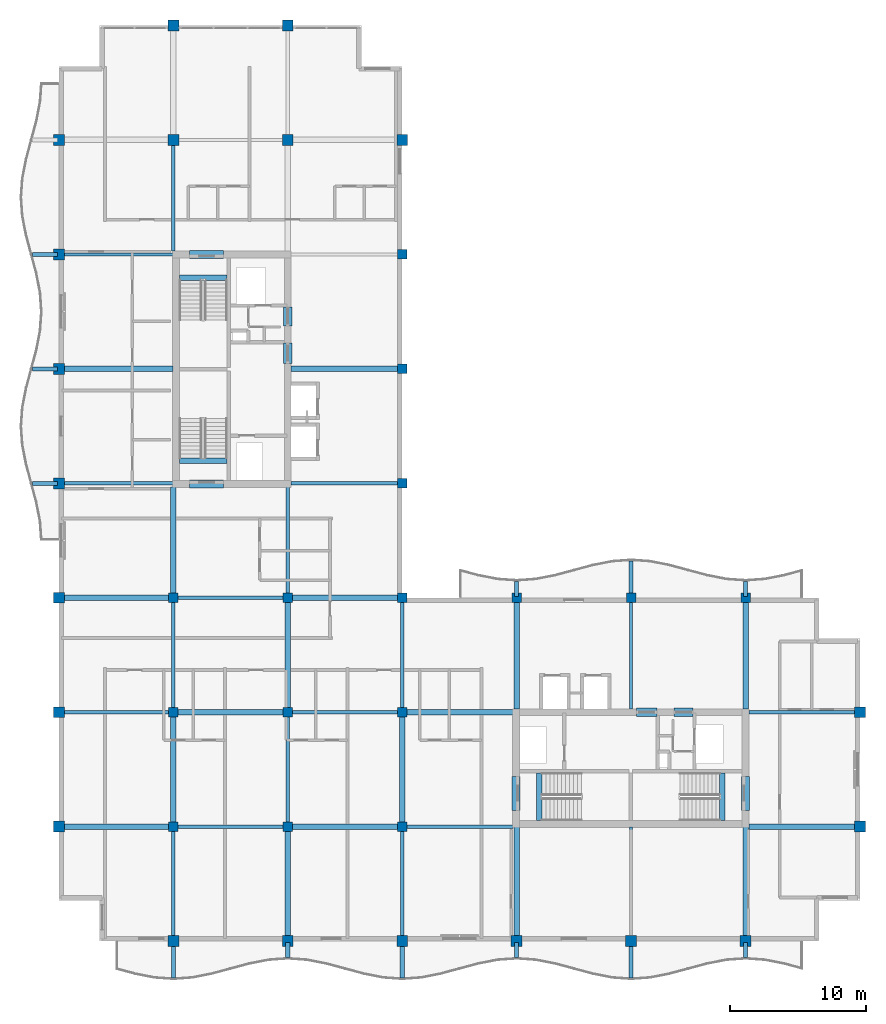
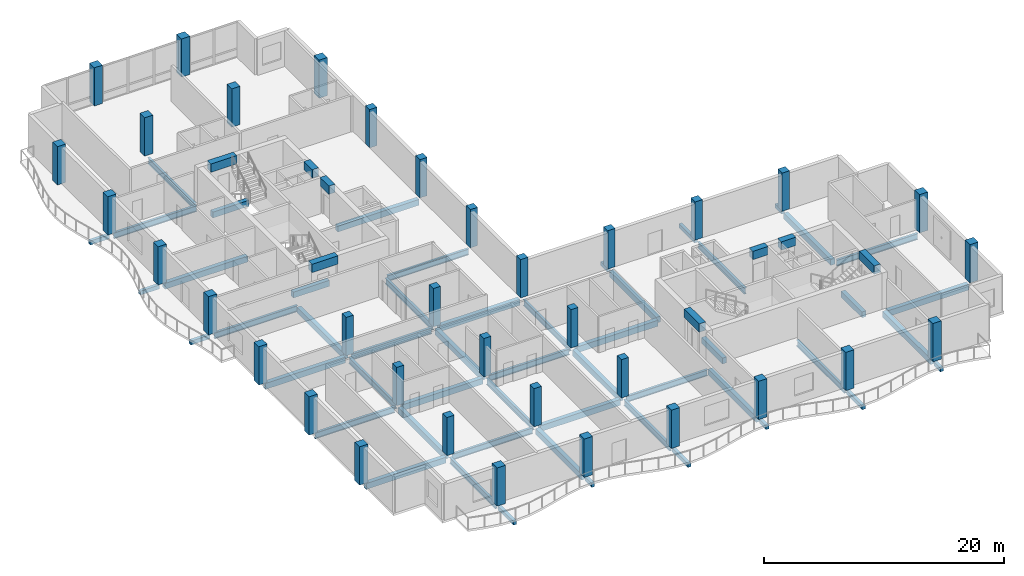
# One storey, part 1 of 15: 60 beams, 35 columns.
"""IFC4 building model written with IfcOpenShell, lengths in metres."""

from ifc_helpers import new_model, si_unit, direction, frame, origin, origin_2d, place, context, subcontext, project, spatial, rectangle, i_section, extrude, material, material_profile, profile_set, type_object, element, save


model = new_model("IFC4")

# Units and contexts
model_context = context("Model", 3, precision=1e-05, world=origin(), true_north=direction((0.0, 1.0)))
body_context = subcontext(model_context, "Body", "Model", "MODEL_VIEW")
ifc_project = project(units=[si_unit("LENGTHUNIT", "METRE"), si_unit("AREAUNIT", "SQUARE_METRE"), si_unit("VOLUMEUNIT", "CUBIC_METRE"), si_unit("PLANEANGLEUNIT", "RADIAN"), si_unit("MASSUNIT", "GRAM", prefix="KILO")], contexts=[model_context])

# Site, building, storey
site_placement = place(None, origin())
site = spatial("IfcSite", under=ifc_project, at=site_placement, CompositionType="ELEMENT")
building_placement = place(site_placement, origin())
building = spatial("IfcBuilding", under=site, at=building_placement, Name="Koriwani Terraces Tower", CompositionType="ELEMENT")
storey_placement = place(building_placement, frame((0.0, 0.0, 300.800048828125)))
storey = spatial("IfcBuildingStorey", under=building, at=storey_placement, Name="L74", CompositionType="ELEMENT", Elevation=300.800048828125)

# Columns
ifc_material_1 = material(Name="Concrete C50/60", Category="concrete")
ifc_material_profile_1 = material_profile(ifc_material_1, rectangle(XDim=0.699951171875, YDim=0.699951171875, at=origin_2d()), Name="Concrete C50/60", Category="LoadBearing")
ifc_profile_set_1 = profile_set([ifc_material_profile_1], Name="Concrete C50/60")
column_type_1 = type_object("IfcColumnType", Name="COL_RC_700X700", PredefinedType="COLUMN", material=ifc_profile_set_1)
for number, where, z_axis, x_axis, name in (
    (1, (16.800048828125, 16.800048828125, 0.0), (0.0, 0.0, 1.0), (1.0, 0.0, 0.0), "L74 Column 3/C"),
    (2, (16.800048828125, 25.199951171875, 0.0), (0.0, 0.0, 1.0), (1.0, 0.0, 0.0), "L74 Column 3/D"),
    (3, (16.800048828125, 33.60009765625, 0.0), (0.0, 0.0, 1.0), (1.0, 0.0, 0.0), "L74 Column 3/E"),
    (4, (25.199951171875, 16.800048828125, 0.0), (0.0, 0.0, 1.0), (1.0, 0.0, 0.0), "L74 Column 4/C"),
    (5, (25.199951171875, 25.199951171875, 0.0), (0.0, 0.0, 1.0), (1.0, 0.0, 0.0), "L74 Column 4/D"),
    (6, (25.199951171875, 33.60009765625, 0.0), (0.0, 0.0, 1.0), (1.0, 0.0, 0.0), "L74 Column 4/E"),
    (7, (33.60009765625, 16.800048828125, 0.0), (0.0, 0.0, 1.0), (1.0, 0.0, 0.0), "L74 Column 5/C"),
    (8, (33.60009765625, 25.199951171875, 0.0), (0.0, 0.0, 1.0), (1.0, 0.0, 0.0), "L74 Column 5/D"),
    (9, (33.60009765625, 33.60009765625, 0.0), (0.0, 0.0, 1.0), (1.0, 0.0, 0.0), "L74 Column 5/E"),
    (10, (33.60009765625, 42.0, 0.0), (0.0, 0.0, 1.0), (1.0, 0.0, 0.0), "L74 Column 5/F"),
    (11, (33.60009765625, 50.39990234375, 0.0), (0.0, 0.0, 1.0), (1.0, 0.0, 0.0), "L74 Column 5/G"),
    (12, (33.60009765625, 58.800048828125, 0.0), (0.0, 0.0, 1.0), (1.0, 0.0, 0.0), "L74 Column 5/H"),
    (13, (42.0, 33.60009765625, 0.0), (0.0, 0.0, 1.0), (1.0, 0.0, 0.0), "L74 Column 6/E"),
    (14, (50.39990234375, 33.60009765625, 0.0), (0.0, 0.0, 1.0), (1.0, 0.0, 0.0), "L74 Column 7/E"),
    (15, (58.800048828125, 33.60009765625, 0.0), (0.0, 0.0, 1.0), (1.0, 0.0, 0.0), "L74 Column 8/E"),
):
    element("IfcColumn", number, at=place(storey_placement, frame(where, z_axis=z_axis, x_axis=x_axis)), inside=storey, type_object=column_type_1, Name=name, PredefinedType="COLUMN", context=body_context, shape_type="SweptSolid", body=[
        extrude(rectangle(XDim=0.699951171875, YDim=0.699951171875, at=origin_2d()), origin(), (0.0, 0.0, 1.0), 3.89990234375),
    ])
ifc_material_profile_2 = material_profile(ifc_material_1, rectangle(XDim=0.800048828125, YDim=0.800048828125, at=origin_2d()), Name="Concrete C50/60", Category="LoadBearing")
ifc_profile_set_2 = profile_set([ifc_material_profile_2], Name="Concrete C50/60")
column_type_2 = type_object("IfcColumnType", Name="COL_RC_800X800", PredefinedType="COLUMN", material=ifc_profile_set_2)
for number, where, z_axis, x_axis, name in (
    (16, (8.39990234375, 16.800048828125, 0.0), (0.0, 0.0, 1.0), (1.0, 0.0, 0.0), "L74 Column 2/C"),
    (17, (8.39990234375, 25.199951171875, 0.0), (0.0, 0.0, 1.0), (1.0, 0.0, 0.0), "L74 Column 2/D"),
    (18, (8.39990234375, 33.60009765625, 0.0), (0.0, 0.0, 1.0), (1.0, 0.0, 0.0), "L74 Column 2/E"),
    (19, (8.39990234375, 42.0, 0.0), (0.0, 0.0, 1.0), (1.0, 0.0, 0.0), "L74 Column 2/F"),
    (20, (8.39990234375, 50.39990234375, 0.0), (0.0, 0.0, 1.0), (1.0, 0.0, 0.0), "L74 Column 2/G"),
    (21, (8.39990234375, 58.800048828125, 0.0), (0.0, 0.0, 1.0), (1.0, 0.0, 0.0), "L74 Column 2/H"),
    (22, (8.39990234375, 67.199951171875, 0.0), (0.0, 0.0, 1.0), (1.0, 0.0, 0.0), "L74 Column 2/I"),
    (23, (16.800048828125, 8.39990234375, 0.0), (0.0, 0.0, 1.0), (1.0, 0.0, 0.0), "L74 Column 3/B"),
    (24, (16.800048828125, 67.199951171875, 0.0), (0.0, 0.0, 1.0), (1.0, 0.0, 0.0), "L74 Column 3/I"),
    (25, (16.800048828125, 75.60009765625, 0.0), (0.0, 0.0, 1.0), (1.0, 0.0, 0.0), "L74 Column 3/J"),
    (26, (25.199951171875, 8.39990234375, 0.0), (0.0, 0.0, 1.0), (1.0, 0.0, 0.0), "L74 Column 4/B"),
    (27, (25.199951171875, 67.199951171875, 0.0), (0.0, 0.0, 1.0), (1.0, 0.0, 0.0), "L74 Column 4/I"),
    (28, (25.199951171875, 75.60009765625, 0.0), (0.0, 0.0, 1.0), (1.0, 0.0, 0.0), "L74 Column 4/J"),
    (29, (33.60009765625, 8.39990234375, 0.0), (0.0, 0.0, 1.0), (1.0, 0.0, 0.0), "L74 Column 5/B"),
    (30, (33.60009765625, 67.199951171875, 0.0), (0.0, 0.0, 1.0), (1.0, 0.0, 0.0), "L74 Column 5/I"),
    (31, (42.0, 8.39990234375, 0.0), (0.0, 0.0, 1.0), (1.0, 0.0, 0.0), "L74 Column 6/B"),
    (32, (50.39990234375, 8.39990234375, 0.0), (0.0, 0.0, 1.0), (1.0, 0.0, 0.0), "L74 Column 7/B"),
    (33, (58.800048828125, 8.39990234375, 0.0), (0.0, 0.0, 1.0), (1.0, 0.0, 0.0), "L74 Column 8/B"),
    (34, (67.199951171875, 16.800048828125, 0.0), (0.0, 0.0, 1.0), (1.0, 0.0, 0.0), "L74 Column 9/C"),
    (35, (67.199951171875, 25.199951171875, 0.0), (0.0, 0.0, 1.0), (1.0, 0.0, 0.0), "L74 Column 9/D"),
):
    element("IfcColumn", number, at=place(storey_placement, frame(where, z_axis=z_axis, x_axis=x_axis)), inside=storey, type_object=column_type_2, Name=name, PredefinedType="COLUMN", context=body_context, shape_type="SweptSolid", body=[
        extrude(rectangle(XDim=0.800048828125, YDim=0.800048828125, at=origin_2d()), origin(), (0.0, 0.0, 1.0), 3.89990234375),
    ])

# Beams
ifc_material_2 = material(Name="Concrete C40/50", Category="concrete")
ifc_material_profile_3 = material_profile(ifc_material_2, rectangle(XDim=0.300048828125, YDim=0.39990234375, at=origin_2d()), Name="Concrete C40/50", Category="LoadBearing")
ifc_profile_set_3 = profile_set([ifc_material_profile_3], Name="Concrete C40/50")
beam_type_1 = type_object("IfcBeamType", Name="BEAM_RC_BALCONY_RIB_300X400", PredefinedType="JOIST", material=ifc_profile_set_3)
beam_1_placement = place(storey_placement, frame((16.800048828125, 5.699951171875, -0.429931640625), z_axis=(0.0, 1.0, 0.0), x_axis=(-1.0, 0.0, 0.0)))
element("IfcBeam", 36, at=beam_1_placement, inside=storey, type_object=beam_type_1, Name="L74 Balcony Bracket Rib S-1", PredefinedType="JOIST", context=body_context, shape_type="SweptSolid", body=[
    extrude(rectangle(XDim=0.300048828125, YDim=0.39990234375, at=origin_2d()), origin(), (0.0, 0.0, 1.0), 2.60009765625),
])
beam_2_placement = place(storey_placement, frame((25.199951171875, 7.199951171875, -0.429931640625), z_axis=(0.0, 1.0, 0.0), x_axis=(-1.0, 0.0, 0.0)))
element("IfcBeam", 37, at=beam_2_placement, inside=storey, type_object=beam_type_1, Name="L74 Balcony Bracket Rib S-2", PredefinedType="JOIST", context=body_context, shape_type="SweptSolid", body=[
    extrude(rectangle(XDim=0.300048828125, YDim=0.39990234375, at=origin_2d()), origin(), (0.0, 0.0, 1.0), 1.10009765625),
])
beam_3_placement = place(storey_placement, frame((33.60009765625, 5.699951171875, -0.429931640625), z_axis=(0.0, 1.0, 0.0), x_axis=(-1.0, 0.0, 0.0)))
element("IfcBeam", 38, at=beam_3_placement, inside=storey, type_object=beam_type_1, Name="L74 Balcony Bracket Rib S-3", PredefinedType="JOIST", context=body_context, shape_type="SweptSolid", body=[
    extrude(rectangle(XDim=0.300048828125, YDim=0.39990234375, at=origin_2d()), origin(), (0.0, 0.0, 1.0), 2.60009765625),
])
beam_4_placement = place(storey_placement, frame((42.0, 7.199951171875, -0.429931640625), z_axis=(0.0, 1.0, 0.0), x_axis=(-1.0, 0.0, 0.0)))
element("IfcBeam", 39, at=beam_4_placement, inside=storey, type_object=beam_type_1, Name="L74 Balcony Bracket Rib S-4", PredefinedType="JOIST", context=body_context, shape_type="SweptSolid", body=[
    extrude(rectangle(XDim=0.300048828125, YDim=0.39990234375, at=origin_2d()), origin(), (0.0, 0.0, 1.0), 1.10009765625),
])
beam_5_placement = place(storey_placement, frame((50.39990234375, 5.699951171875, -0.429931640625), z_axis=(0.0, 1.0, 0.0), x_axis=(-1.0, 0.0, 0.0)))
element("IfcBeam", 40, at=beam_5_placement, inside=storey, type_object=beam_type_1, Name="L74 Balcony Bracket Rib S-5", PredefinedType="JOIST", context=body_context, shape_type="SweptSolid", body=[
    extrude(rectangle(XDim=0.300048828125, YDim=0.39990234375, at=origin_2d()), origin(), (0.0, 0.0, 1.0), 2.60009765625),
])
beam_6_placement = place(storey_placement, frame((58.800048828125, 7.199951171875, -0.429931640625), z_axis=(0.0, 1.0, 0.0), x_axis=(-1.0, 0.0, 0.0)))
element("IfcBeam", 41, at=beam_6_placement, inside=storey, type_object=beam_type_1, Name="L74 Balcony Bracket Rib S-6", PredefinedType="JOIST", context=body_context, shape_type="SweptSolid", body=[
    extrude(rectangle(XDim=0.300048828125, YDim=0.39990234375, at=origin_2d()), origin(), (0.0, 0.0, 1.0), 1.10009765625),
])
for number, where, z_axis, x_axis, name in (
    (42, (6.449951171875, 42.0, -0.429931640625), (1.0, 0.0, 0.0), (0.0, 1.0, 0.0), "L74 Balcony Bracket Rib W-1"),
    (43, (6.449951171875, 50.39990234375, -0.429931640625), (1.0, 0.0, 0.0), (0.0, 1.0, 0.0), "L74 Balcony Bracket Rib W-2"),
    (44, (6.449951171875, 58.800048828125, -0.429931640625), (1.0, 0.0, 0.0), (0.0, 1.0, 0.0), "L74 Balcony Bracket Rib W-3"),
):
    element("IfcBeam", number, at=place(storey_placement, frame(where, z_axis=z_axis, x_axis=x_axis)), inside=storey, type_object=beam_type_1, Name=name, PredefinedType="JOIST", context=body_context, shape_type="SweptSolid", body=[
        extrude(rectangle(XDim=0.300048828125, YDim=0.39990234375, at=origin_2d()), origin(), (0.0, 0.0, 1.0), 1.85009765625),
    ])
beam_7_placement = place(storey_placement, frame((42.0, 33.699951171875, -0.429931640625), z_axis=(0.0, 1.0, 0.0), x_axis=(-1.0, 0.0, 0.0)))
element("IfcBeam", 45, at=beam_7_placement, inside=storey, type_object=beam_type_1, Name="L74 Balcony Bracket Rib NE-1", PredefinedType="JOIST", context=body_context, shape_type="SweptSolid", body=[
    extrude(rectangle(XDim=0.300048828125, YDim=0.39990234375, at=origin_2d()), origin(), (0.0, 0.0, 1.0), 1.10009765625),
])
beam_8_placement = place(storey_placement, frame((50.39990234375, 33.699951171875, -0.429931640625), z_axis=(0.0, 1.0, 0.0), x_axis=(-1.0, 0.0, 0.0)))
element("IfcBeam", 46, at=beam_8_placement, inside=storey, type_object=beam_type_1, Name="L74 Balcony Bracket Rib NE-2", PredefinedType="JOIST", context=body_context, shape_type="SweptSolid", body=[
    extrude(rectangle(XDim=0.300048828125, YDim=0.39990234375, at=origin_2d()), origin(), (0.0, 0.0, 1.0), 2.60009765625),
])
beam_9_placement = place(storey_placement, frame((58.800048828125, 33.699951171875, -0.429931640625), z_axis=(0.0, 1.0, 0.0), x_axis=(-1.0, 0.0, 0.0)))
element("IfcBeam", 47, at=beam_9_placement, inside=storey, type_object=beam_type_1, Name="L74 Balcony Bracket Rib NE-3", PredefinedType="JOIST", context=body_context, shape_type="SweptSolid", body=[
    extrude(rectangle(XDim=0.300048828125, YDim=0.39990234375, at=origin_2d()), origin(), (0.0, 0.0, 1.0), 1.10009765625),
])
ifc_material_profile_4 = material_profile(ifc_material_1, rectangle(XDim=0.60009765625, YDim=0.85009765625, at=origin_2d()), Name="Concrete C50/60", Category="LoadBearing")
ifc_profile_set_4 = profile_set([ifc_material_profile_4], Name="Concrete C50/60")
beam_type_2 = type_object("IfcBeamType", Name="BEAM_RC_COUPLING_600X850", PredefinedType="LINTEL", material=ifc_profile_set_4)
beam_10_placement = place(storey_placement, frame((25.199951171875, 50.800048828125, 3.244873046875), z_axis=(0.0, 1.0, 0.0), x_axis=(-1.0, 0.0, 0.0)))
element("IfcBeam", 48, at=beam_10_placement, inside=storey, type_object=beam_type_2, Name="L74 Core Coupling Lintel Beam WE1", PredefinedType="LINTEL", context=body_context, shape_type="SweptSolid", body=[
    extrude(rectangle(XDim=0.60009765625, YDim=0.85009765625, at=origin_2d()), origin(), (0.0, 0.0, 1.0), 1.47998046875),
])
beam_11_placement = place(storey_placement, frame((25.199951171875, 53.550048828125, 3.244873046875), z_axis=(0.0, 1.0, 0.0), x_axis=(-1.0, 0.0, 0.0)))
element("IfcBeam", 49, at=beam_11_placement, inside=storey, type_object=beam_type_2, Name="L74 Core Coupling Lintel Beam WE2", PredefinedType="LINTEL", context=body_context, shape_type="SweptSolid", body=[
    extrude(rectangle(XDim=0.60009765625, YDim=0.85009765625, at=origin_2d()), origin(), (0.0, 0.0, 1.0), 1.39990234375),
])
for number, where, z_axis, x_axis, name in (
    (50, (18.0, 41.949951171875, 3.244873046875), (1.0, 0.0, 0.0), (0.0, 1.0, 0.0), "L74 Core Coupling Lintel Beam WS"),
    (51, (18.0, 58.800048828125, 3.244873046875), (1.0, 0.0, 0.0), (0.0, 1.0, 0.0), "L74 Core Coupling Lintel Beam WN"),
):
    element("IfcBeam", number, at=place(storey_placement, frame(where, z_axis=z_axis, x_axis=x_axis)), inside=storey, type_object=beam_type_2, Name=name, PredefinedType="LINTEL", context=body_context, shape_type="SweptSolid", body=[
        extrude(rectangle(XDim=0.60009765625, YDim=0.85009765625, at=origin_2d()), origin(), (0.0, 0.0, 1.0), 2.5),
    ])
beam_12_placement = place(storey_placement, frame((50.800048828125, 25.199951171875, 3.244873046875), z_axis=(1.0, 0.0, 0.0), x_axis=(0.0, 1.0, 0.0)))
element("IfcBeam", 52, at=beam_12_placement, inside=storey, type_object=beam_type_2, Name="L74 Core Coupling Lintel Beam EN1", PredefinedType="LINTEL", context=body_context, shape_type="SweptSolid", body=[
    extrude(rectangle(XDim=0.60009765625, YDim=0.85009765625, at=origin_2d()), origin(), (0.0, 0.0, 1.0), 1.47998046875),
])
beam_13_placement = place(storey_placement, frame((53.550048828125, 25.199951171875, 3.244873046875), z_axis=(1.0, 0.0, 0.0), x_axis=(0.0, 1.0, 0.0)))
element("IfcBeam", 53, at=beam_13_placement, inside=storey, type_object=beam_type_2, Name="L74 Core Coupling Lintel Beam EN2", PredefinedType="LINTEL", context=body_context, shape_type="SweptSolid", body=[
    extrude(rectangle(XDim=0.60009765625, YDim=0.85009765625, at=origin_2d()), origin(), (0.0, 0.0, 1.0), 1.39990234375),
])
for number, where, z_axis, x_axis, name in (
    (54, (41.949951171875, 18.0, 3.244873046875), (0.0, 1.0, 0.0), (-1.0, 0.0, 0.0), "L74 Core Coupling Lintel Beam EW"),
    (55, (58.800048828125, 18.0, 3.244873046875), (0.0, 1.0, 0.0), (-1.0, 0.0, 0.0), "L74 Core Coupling Lintel Beam EE"),
):
    element("IfcBeam", number, at=place(storey_placement, frame(where, z_axis=z_axis, x_axis=x_axis)), inside=storey, type_object=beam_type_2, Name=name, PredefinedType="LINTEL", context=body_context, shape_type="SweptSolid", body=[
        extrude(rectangle(XDim=0.60009765625, YDim=0.85009765625, at=origin_2d()), origin(), (0.0, 0.0, 1.0), 2.5),
    ])
ifc_material_profile_5 = material_profile(ifc_material_2, rectangle(XDim=0.39990234375, YDim=0.60009765625, at=origin_2d()), Name="Concrete C40/50", Category="LoadBearing")
ifc_profile_set_5 = profile_set([ifc_material_profile_5], Name="Concrete C40/50")
beam_type_3 = type_object("IfcBeamType", Name="BEAM_RC_GRID_400X600", PredefinedType="BEAM", material=ifc_profile_set_5)
for number, where, z_axis, x_axis, name in (
    (56, (17.25, 43.655029296875, -0.300048828125), (1.0, 0.0, 0.0), (0.0, 1.0, 0.0), "L74 Stairwell Header Trimmer Beam ST-W1"),
    (57, (17.25, 57.094970703125, -0.300048828125), (1.0, 0.0, 0.0), (0.0, 1.0, 0.0), "L74 Stairwell Header Trimmer Beam ST-W2"),
    (58, (43.655029296875, 17.25, -0.300048828125), (0.0, 1.0, 0.0), (-1.0, 0.0, 0.0), "L74 Stairwell Header Trimmer Beam ST-E1"),
    (59, (57.094970703125, 17.25, -0.300048828125), (0.0, 1.0, 0.0), (-1.0, 0.0, 0.0), "L74 Stairwell Header Trimmer Beam ST-E2"),
):
    element("IfcBeam", number, at=place(storey_placement, frame(where, z_axis=z_axis, x_axis=x_axis)), inside=storey, type_object=beam_type_3, Name=name, PredefinedType="BEAM", context=body_context, shape_type="SweptSolid", body=[
        extrude(rectangle(XDim=0.39990234375, YDim=0.60009765625, at=origin_2d()), origin(), (0.0, 0.0, 1.0), 3.5),
    ])
beam_14_placement = place(storey_placement, frame((8.780029296875, 16.800048828125, -0.530029296875), z_axis=(1.0, 0.0, 0.0), x_axis=(0.0, 1.0, 0.0)))
element("IfcBeam", 60, at=beam_14_placement, inside=storey, type_object=beam_type_3, Name="L74 Grid Beam C (8.4-16.8m)", PredefinedType="BEAM", context=body_context, shape_type="SweptSolid", body=[
    extrude(rectangle(XDim=0.39990234375, YDim=0.60009765625, at=origin_2d()), origin(), (0.0, 0.0, 1.0), 7.68994140625),
])
beam_15_placement = place(storey_placement, frame((25.530029296875, 16.800048828125, -0.530029296875), z_axis=(1.0, 0.0, 0.0), x_axis=(0.0, 1.0, 0.0)))
element("IfcBeam", 61, at=beam_15_placement, inside=storey, type_object=beam_type_3, Name="L74 Grid Beam C (25.2-33.6m)", PredefinedType="BEAM", context=body_context, shape_type="SweptSolid", body=[
    extrude(rectangle(XDim=0.39990234375, YDim=0.60009765625, at=origin_2d()), origin(), (0.0, 0.0, 1.0), 7.739990234375),
])
beam_16_placement = place(storey_placement, frame((59.030029296875, 16.800048828125, -0.530029296875), z_axis=(1.0, 0.0, 0.0), x_axis=(0.0, 1.0, 0.0)))
element("IfcBeam", 62, at=beam_16_placement, inside=storey, type_object=beam_type_3, Name="L74 Grid Beam C (58.8-67.2m)", PredefinedType="BEAM", context=body_context, shape_type="SweptSolid", body=[
    extrude(rectangle(XDim=0.39990234375, YDim=0.60009765625, at=origin_2d()), origin(), (0.0, 0.0, 1.0), 7.7900390625),
])
beam_17_placement = place(storey_placement, frame((17.1298828125, 25.199951171875, -0.530029296875), z_axis=(1.0, 0.0, 0.0), x_axis=(0.0, 1.0, 0.0)))
element("IfcBeam", 63, at=beam_17_placement, inside=storey, type_object=beam_type_3, Name="L74 Grid Beam D (16.8-25.2m)", PredefinedType="BEAM", context=body_context, shape_type="SweptSolid", body=[
    extrude(rectangle(XDim=0.39990234375, YDim=0.60009765625, at=origin_2d()), origin(), (0.0, 0.0, 1.0), 7.740234375),
])
beam_18_placement = place(storey_placement, frame((33.929931640625, 25.199951171875, -0.530029296875), z_axis=(1.0, 0.0, 0.0), x_axis=(0.0, 1.0, 0.0)))
element("IfcBeam", 64, at=beam_18_placement, inside=storey, type_object=beam_type_3, Name="L74 Grid Beam D (33.6-42.0m)", PredefinedType="BEAM", context=body_context, shape_type="SweptSolid", body=[
    extrude(rectangle(XDim=0.39990234375, YDim=0.60009765625, at=origin_2d()), origin(), (0.0, 0.0, 1.0), 7.7900390625),
])
beam_19_placement = place(storey_placement, frame((8.780029296875, 33.60009765625, -0.530029296875), z_axis=(1.0, 0.0, 0.0), x_axis=(0.0, 1.0, 0.0)))
element("IfcBeam", 65, at=beam_19_placement, inside=storey, type_object=beam_type_3, Name="L74 Grid Beam E (8.4-16.8m)", PredefinedType="BEAM", context=body_context, shape_type="SweptSolid", body=[
    extrude(rectangle(XDim=0.39990234375, YDim=0.60009765625, at=origin_2d()), origin(), (0.0, 0.0, 1.0), 7.68994140625),
])
beam_20_placement = place(storey_placement, frame((25.530029296875, 33.60009765625, -0.530029296875), z_axis=(1.0, 0.0, 0.0), x_axis=(0.0, 1.0, 0.0)))
element("IfcBeam", 66, at=beam_20_placement, inside=storey, type_object=beam_type_3, Name="L74 Grid Beam E (25.2-33.6m)", PredefinedType="BEAM", context=body_context, shape_type="SweptSolid", body=[
    extrude(rectangle(XDim=0.39990234375, YDim=0.60009765625, at=origin_2d()), origin(), (0.0, 0.0, 1.0), 7.739990234375),
])
beam_21_placement = place(storey_placement, frame((8.780029296875, 50.39990234375, -0.530029296875), z_axis=(1.0, 0.0, 0.0), x_axis=(0.0, 1.0, 0.0)))
element("IfcBeam", 67, at=beam_21_placement, inside=storey, type_object=beam_type_3, Name="L74 Grid Beam G (8.4-16.8m)", PredefinedType="BEAM", context=body_context, shape_type="SweptSolid", body=[
    extrude(rectangle(XDim=0.39990234375, YDim=0.60009765625, at=origin_2d()), origin(), (0.0, 0.0, 1.0), 7.989990234375),
])
beam_22_placement = place(storey_placement, frame((25.429931640625, 50.39990234375, -0.530029296875), z_axis=(1.0, 0.0, 0.0), x_axis=(0.0, 1.0, 0.0)))
element("IfcBeam", 68, at=beam_22_placement, inside=storey, type_object=beam_type_3, Name="L74 Grid Beam G (25.2-33.6m)", PredefinedType="BEAM", context=body_context, shape_type="SweptSolid", body=[
    extrude(rectangle(XDim=0.39990234375, YDim=0.60009765625, at=origin_2d()), origin(), (0.0, 0.0, 1.0), 7.840087890625),
])
beam_23_placement = place(storey_placement, frame((16.800048828125, 17.1298828125, -0.530029296875), z_axis=(0.0, 1.0, 0.0), x_axis=(-1.0, 0.0, 0.0)))
element("IfcBeam", 69, at=beam_23_placement, inside=storey, type_object=beam_type_3, Name="L74 Grid Beam 3 (16.8-25.2m)", PredefinedType="BEAM", context=body_context, shape_type="SweptSolid", body=[
    extrude(rectangle(XDim=0.39990234375, YDim=0.60009765625, at=origin_2d()), origin(), (0.0, 0.0, 1.0), 7.740234375),
])
beam_24_placement = place(storey_placement, frame((16.800048828125, 33.929931640625, -0.530029296875), z_axis=(0.0, 1.0, 0.0), x_axis=(-1.0, 0.0, 0.0)))
element("IfcBeam", 70, at=beam_24_placement, inside=storey, type_object=beam_type_3, Name="L74 Grid Beam 3 (33.6-42.0m)", PredefinedType="BEAM", context=body_context, shape_type="SweptSolid", body=[
    extrude(rectangle(XDim=0.39990234375, YDim=0.60009765625, at=origin_2d()), origin(), (0.0, 0.0, 1.0), 7.7900390625),
])
beam_25_placement = place(storey_placement, frame((25.199951171875, 8.780029296875, -0.530029296875), z_axis=(0.0, 1.0, 0.0), x_axis=(-1.0, 0.0, 0.0)))
element("IfcBeam", 71, at=beam_25_placement, inside=storey, type_object=beam_type_3, Name="L74 Grid Beam 4 (8.4-16.8m)", PredefinedType="BEAM", context=body_context, shape_type="SweptSolid", body=[
    extrude(rectangle(XDim=0.39990234375, YDim=0.60009765625, at=origin_2d()), origin(), (0.0, 0.0, 1.0), 7.68994140625),
])
beam_26_placement = place(storey_placement, frame((25.199951171875, 25.530029296875, -0.530029296875), z_axis=(0.0, 1.0, 0.0), x_axis=(-1.0, 0.0, 0.0)))
element("IfcBeam", 72, at=beam_26_placement, inside=storey, type_object=beam_type_3, Name="L74 Grid Beam 4 (25.2-33.6m)", PredefinedType="BEAM", context=body_context, shape_type="SweptSolid", body=[
    extrude(rectangle(XDim=0.39990234375, YDim=0.60009765625, at=origin_2d()), origin(), (0.0, 0.0, 1.0), 7.739990234375),
])
beam_27_placement = place(storey_placement, frame((33.60009765625, 17.1298828125, -0.530029296875), z_axis=(0.0, 1.0, 0.0), x_axis=(-1.0, 0.0, 0.0)))
element("IfcBeam", 73, at=beam_27_placement, inside=storey, type_object=beam_type_3, Name="L74 Grid Beam 5 (16.8-25.2m)", PredefinedType="BEAM", context=body_context, shape_type="SweptSolid", body=[
    extrude(rectangle(XDim=0.39990234375, YDim=0.60009765625, at=origin_2d()), origin(), (0.0, 0.0, 1.0), 7.740234375),
])
beam_28_placement = place(storey_placement, frame((42.0, 8.780029296875, -0.530029296875), z_axis=(0.0, 1.0, 0.0), x_axis=(-1.0, 0.0, 0.0)))
element("IfcBeam", 74, at=beam_28_placement, inside=storey, type_object=beam_type_3, Name="L74 Grid Beam 6 (8.4-16.8m)", PredefinedType="BEAM", context=body_context, shape_type="SweptSolid", body=[
    extrude(rectangle(XDim=0.39990234375, YDim=0.60009765625, at=origin_2d()), origin(), (0.0, 0.0, 1.0), 7.989990234375),
])
beam_29_placement = place(storey_placement, frame((42.0, 25.429931640625, -0.530029296875), z_axis=(0.0, 1.0, 0.0), x_axis=(-1.0, 0.0, 0.0)))
element("IfcBeam", 75, at=beam_29_placement, inside=storey, type_object=beam_type_3, Name="L74 Grid Beam 6 (25.2-33.6m)", PredefinedType="BEAM", context=body_context, shape_type="SweptSolid", body=[
    extrude(rectangle(XDim=0.39990234375, YDim=0.60009765625, at=origin_2d()), origin(), (0.0, 0.0, 1.0), 7.840087890625),
])
beam_30_placement = place(storey_placement, frame((58.800048828125, 8.780029296875, -0.530029296875), z_axis=(0.0, 1.0, 0.0), x_axis=(-1.0, 0.0, 0.0)))
element("IfcBeam", 76, at=beam_30_placement, inside=storey, type_object=beam_type_3, Name="L74 Grid Beam 8 (8.4-16.8m)", PredefinedType="BEAM", context=body_context, shape_type="SweptSolid", body=[
    extrude(rectangle(XDim=0.39990234375, YDim=0.60009765625, at=origin_2d()), origin(), (0.0, 0.0, 1.0), 7.989990234375),
])
beam_31_placement = place(storey_placement, frame((58.800048828125, 25.429931640625, -0.530029296875), z_axis=(0.0, 1.0, 0.0), x_axis=(-1.0, 0.0, 0.0)))
element("IfcBeam", 77, at=beam_31_placement, inside=storey, type_object=beam_type_3, Name="L74 Grid Beam 8 (25.2-33.6m)", PredefinedType="BEAM", context=body_context, shape_type="SweptSolid", body=[
    extrude(rectangle(XDim=0.39990234375, YDim=0.60009765625, at=origin_2d()), origin(), (0.0, 0.0, 1.0), 7.840087890625),
])
ifc_material_3 = material(Name="Steel ASTM A572 Grade 50", Category="steel")
ifc_material_profile_6 = material_profile(ifc_material_3, i_section(OverallWidth=0.23095703125, OverallDepth=0.616943359375, WebThickness=0.015380859375, FlangeThickness=0.0244140625, at=origin_2d()), Name="Steel ASTM A572 Grade 50", Category="LoadBearing")
ifc_profile_set_6 = profile_set([ifc_material_profile_6], Name="Steel ASTM A572 Grade 50")
beam_type_4 = type_object("IfcBeamType", Name="STEEL_BEAM_W610X195", PredefinedType="BEAM", material=ifc_profile_set_6)
beam_32_placement = place(storey_placement, frame((17.1298828125, 16.800048828125, -0.53857421875), z_axis=(1.0, 0.0, 0.0), x_axis=(0.0, 1.0, 0.0)))
element("IfcBeam", 78, at=beam_32_placement, inside=storey, type_object=beam_type_4, Name="L74 Grid Beam C (16.8-25.2m)", PredefinedType="BEAM", context=body_context, shape_type="SweptSolid", body=[
    extrude(i_section(OverallWidth=0.23095703125, OverallDepth=0.616943359375, WebThickness=0.015380859375, FlangeThickness=0.0244140625, at=origin_2d()), origin(), (0.0, 0.0, 1.0), 7.740234375),
])
beam_33_placement = place(storey_placement, frame((33.929931640625, 16.800048828125, -0.53857421875), z_axis=(1.0, 0.0, 0.0), x_axis=(0.0, 1.0, 0.0)))
element("IfcBeam", 79, at=beam_33_placement, inside=storey, type_object=beam_type_4, Name="L74 Grid Beam C (33.6-42.0m)", PredefinedType="BEAM", context=body_context, shape_type="SweptSolid", body=[
    extrude(i_section(OverallWidth=0.23095703125, OverallDepth=0.616943359375, WebThickness=0.015380859375, FlangeThickness=0.0244140625, at=origin_2d()), origin(), (0.0, 0.0, 1.0), 7.7900390625),
])
beam_34_placement = place(storey_placement, frame((8.780029296875, 25.199951171875, -0.53857421875), z_axis=(1.0, 0.0, 0.0), x_axis=(0.0, 1.0, 0.0)))
element("IfcBeam", 80, at=beam_34_placement, inside=storey, type_object=beam_type_4, Name="L74 Grid Beam D (8.4-16.8m)", PredefinedType="BEAM", context=body_context, shape_type="SweptSolid", body=[
    extrude(i_section(OverallWidth=0.23095703125, OverallDepth=0.616943359375, WebThickness=0.015380859375, FlangeThickness=0.0244140625, at=origin_2d()), origin(), (0.0, 0.0, 1.0), 7.68994140625),
])
beam_35_placement = place(storey_placement, frame((25.530029296875, 25.199951171875, -0.53857421875), z_axis=(1.0, 0.0, 0.0), x_axis=(0.0, 1.0, 0.0)))
element("IfcBeam", 81, at=beam_35_placement, inside=storey, type_object=beam_type_4, Name="L74 Grid Beam D (25.2-33.6m)", PredefinedType="BEAM", context=body_context, shape_type="SweptSolid", body=[
    extrude(i_section(OverallWidth=0.23095703125, OverallDepth=0.616943359375, WebThickness=0.015380859375, FlangeThickness=0.0244140625, at=origin_2d()), origin(), (0.0, 0.0, 1.0), 7.739990234375),
])
beam_36_placement = place(storey_placement, frame((59.030029296875, 25.199951171875, -0.53857421875), z_axis=(1.0, 0.0, 0.0), x_axis=(0.0, 1.0, 0.0)))
element("IfcBeam", 82, at=beam_36_placement, inside=storey, type_object=beam_type_4, Name="L74 Grid Beam D (58.8-67.2m)", PredefinedType="BEAM", context=body_context, shape_type="SweptSolid", body=[
    extrude(i_section(OverallWidth=0.23095703125, OverallDepth=0.616943359375, WebThickness=0.015380859375, FlangeThickness=0.0244140625, at=origin_2d()), origin(), (0.0, 0.0, 1.0), 7.7900390625),
])
beam_37_placement = place(storey_placement, frame((17.1298828125, 33.60009765625, -0.53857421875), z_axis=(1.0, 0.0, 0.0), x_axis=(0.0, 1.0, 0.0)))
element("IfcBeam", 83, at=beam_37_placement, inside=storey, type_object=beam_type_4, Name="L74 Grid Beam E (16.8-25.2m)", PredefinedType="BEAM", context=body_context, shape_type="SweptSolid", body=[
    extrude(i_section(OverallWidth=0.23095703125, OverallDepth=0.616943359375, WebThickness=0.015380859375, FlangeThickness=0.0244140625, at=origin_2d()), origin(), (0.0, 0.0, 1.0), 7.740234375),
])
beam_38_placement = place(storey_placement, frame((8.780029296875, 42.0, -0.53857421875), z_axis=(1.0, 0.0, 0.0), x_axis=(0.0, 1.0, 0.0)))
element("IfcBeam", 84, at=beam_38_placement, inside=storey, type_object=beam_type_4, Name="L74 Grid Beam F (8.4-16.8m)", PredefinedType="BEAM", context=body_context, shape_type="SweptSolid", body=[
    extrude(i_section(OverallWidth=0.23095703125, OverallDepth=0.616943359375, WebThickness=0.015380859375, FlangeThickness=0.0244140625, at=origin_2d()), origin(), (0.0, 0.0, 1.0), 7.989990234375),
])
beam_39_placement = place(storey_placement, frame((25.429931640625, 42.0, -0.53857421875), z_axis=(1.0, 0.0, 0.0), x_axis=(0.0, 1.0, 0.0)))
element("IfcBeam", 85, at=beam_39_placement, inside=storey, type_object=beam_type_4, Name="L74 Grid Beam F (25.2-33.6m)", PredefinedType="BEAM", context=body_context, shape_type="SweptSolid", body=[
    extrude(i_section(OverallWidth=0.23095703125, OverallDepth=0.616943359375, WebThickness=0.015380859375, FlangeThickness=0.0244140625, at=origin_2d()), origin(), (0.0, 0.0, 1.0), 7.840087890625),
])
beam_40_placement = place(storey_placement, frame((8.780029296875, 58.800048828125, -0.53857421875), z_axis=(1.0, 0.0, 0.0), x_axis=(0.0, 1.0, 0.0)))
element("IfcBeam", 86, at=beam_40_placement, inside=storey, type_object=beam_type_4, Name="L74 Grid Beam H (8.4-16.8m)", PredefinedType="BEAM", context=body_context, shape_type="SweptSolid", body=[
    extrude(i_section(OverallWidth=0.23095703125, OverallDepth=0.616943359375, WebThickness=0.015380859375, FlangeThickness=0.0244140625, at=origin_2d()), origin(), (0.0, 0.0, 1.0), 7.989990234375),
])
beam_41_placement = place(storey_placement, frame((16.800048828125, 8.780029296875, -0.53857421875), z_axis=(0.0, 1.0, 0.0), x_axis=(-1.0, 0.0, 0.0)))
element("IfcBeam", 87, at=beam_41_placement, inside=storey, type_object=beam_type_4, Name="L74 Grid Beam 3 (8.4-16.8m)", PredefinedType="BEAM", context=body_context, shape_type="SweptSolid", body=[
    extrude(i_section(OverallWidth=0.23095703125, OverallDepth=0.616943359375, WebThickness=0.015380859375, FlangeThickness=0.0244140625, at=origin_2d()), origin(), (0.0, 0.0, 1.0), 7.68994140625),
])
beam_42_placement = place(storey_placement, frame((16.800048828125, 25.530029296875, -0.53857421875), z_axis=(0.0, 1.0, 0.0), x_axis=(-1.0, 0.0, 0.0)))
element("IfcBeam", 88, at=beam_42_placement, inside=storey, type_object=beam_type_4, Name="L74 Grid Beam 3 (25.2-33.6m)", PredefinedType="BEAM", context=body_context, shape_type="SweptSolid", body=[
    extrude(i_section(OverallWidth=0.23095703125, OverallDepth=0.616943359375, WebThickness=0.015380859375, FlangeThickness=0.0244140625, at=origin_2d()), origin(), (0.0, 0.0, 1.0), 7.739990234375),
])
beam_43_placement = place(storey_placement, frame((16.800048828125, 59.030029296875, -0.53857421875), z_axis=(0.0, 1.0, 0.0), x_axis=(-1.0, 0.0, 0.0)))
element("IfcBeam", 89, at=beam_43_placement, inside=storey, type_object=beam_type_4, Name="L74 Grid Beam 3 (58.8-67.2m)", PredefinedType="BEAM", context=body_context, shape_type="SweptSolid", body=[
    extrude(i_section(OverallWidth=0.23095703125, OverallDepth=0.616943359375, WebThickness=0.015380859375, FlangeThickness=0.0244140625, at=origin_2d()), origin(), (0.0, 0.0, 1.0), 7.7900390625),
])
beam_44_placement = place(storey_placement, frame((25.199951171875, 17.1298828125, -0.53857421875), z_axis=(0.0, 1.0, 0.0), x_axis=(-1.0, 0.0, 0.0)))
element("IfcBeam", 90, at=beam_44_placement, inside=storey, type_object=beam_type_4, Name="L74 Grid Beam 4 (16.8-25.2m)", PredefinedType="BEAM", context=body_context, shape_type="SweptSolid", body=[
    extrude(i_section(OverallWidth=0.23095703125, OverallDepth=0.616943359375, WebThickness=0.015380859375, FlangeThickness=0.0244140625, at=origin_2d()), origin(), (0.0, 0.0, 1.0), 7.740234375),
])
beam_45_placement = place(storey_placement, frame((25.199951171875, 33.929931640625, -0.53857421875), z_axis=(0.0, 1.0, 0.0), x_axis=(-1.0, 0.0, 0.0)))
element("IfcBeam", 91, at=beam_45_placement, inside=storey, type_object=beam_type_4, Name="L74 Grid Beam 4 (33.6-42.0m)", PredefinedType="BEAM", context=body_context, shape_type="SweptSolid", body=[
    extrude(i_section(OverallWidth=0.23095703125, OverallDepth=0.616943359375, WebThickness=0.015380859375, FlangeThickness=0.0244140625, at=origin_2d()), origin(), (0.0, 0.0, 1.0), 7.7900390625),
])
beam_46_placement = place(storey_placement, frame((33.60009765625, 8.780029296875, -0.53857421875), z_axis=(0.0, 1.0, 0.0), x_axis=(-1.0, 0.0, 0.0)))
element("IfcBeam", 92, at=beam_46_placement, inside=storey, type_object=beam_type_4, Name="L74 Grid Beam 5 (8.4-16.8m)", PredefinedType="BEAM", context=body_context, shape_type="SweptSolid", body=[
    extrude(i_section(OverallWidth=0.23095703125, OverallDepth=0.616943359375, WebThickness=0.015380859375, FlangeThickness=0.0244140625, at=origin_2d()), origin(), (0.0, 0.0, 1.0), 7.68994140625),
])
beam_47_placement = place(storey_placement, frame((33.60009765625, 25.530029296875, -0.53857421875), z_axis=(0.0, 1.0, 0.0), x_axis=(-1.0, 0.0, 0.0)))
element("IfcBeam", 93, at=beam_47_placement, inside=storey, type_object=beam_type_4, Name="L74 Grid Beam 5 (25.2-33.6m)", PredefinedType="BEAM", context=body_context, shape_type="SweptSolid", body=[
    extrude(i_section(OverallWidth=0.23095703125, OverallDepth=0.616943359375, WebThickness=0.015380859375, FlangeThickness=0.0244140625, at=origin_2d()), origin(), (0.0, 0.0, 1.0), 7.739990234375),
])
beam_48_placement = place(storey_placement, frame((50.39990234375, 8.780029296875, -0.53857421875), z_axis=(0.0, 1.0, 0.0), x_axis=(-1.0, 0.0, 0.0)))
element("IfcBeam", 94, at=beam_48_placement, inside=storey, type_object=beam_type_4, Name="L74 Grid Beam 7 (8.4-16.8m)", PredefinedType="BEAM", context=body_context, shape_type="SweptSolid", body=[
    extrude(i_section(OverallWidth=0.23095703125, OverallDepth=0.616943359375, WebThickness=0.015380859375, FlangeThickness=0.0244140625, at=origin_2d()), origin(), (0.0, 0.0, 1.0), 7.989990234375),
])
beam_49_placement = place(storey_placement, frame((50.39990234375, 25.429931640625, -0.53857421875), z_axis=(0.0, 1.0, 0.0), x_axis=(-1.0, 0.0, 0.0)))
element("IfcBeam", 95, at=beam_49_placement, inside=storey, type_object=beam_type_4, Name="L74 Grid Beam 7 (25.2-33.6m)", PredefinedType="BEAM", context=body_context, shape_type="SweptSolid", body=[
    extrude(i_section(OverallWidth=0.23095703125, OverallDepth=0.616943359375, WebThickness=0.015380859375, FlangeThickness=0.0244140625, at=origin_2d()), origin(), (0.0, 0.0, 1.0), 7.840087890625),
])

save(model, "model.ifc")
